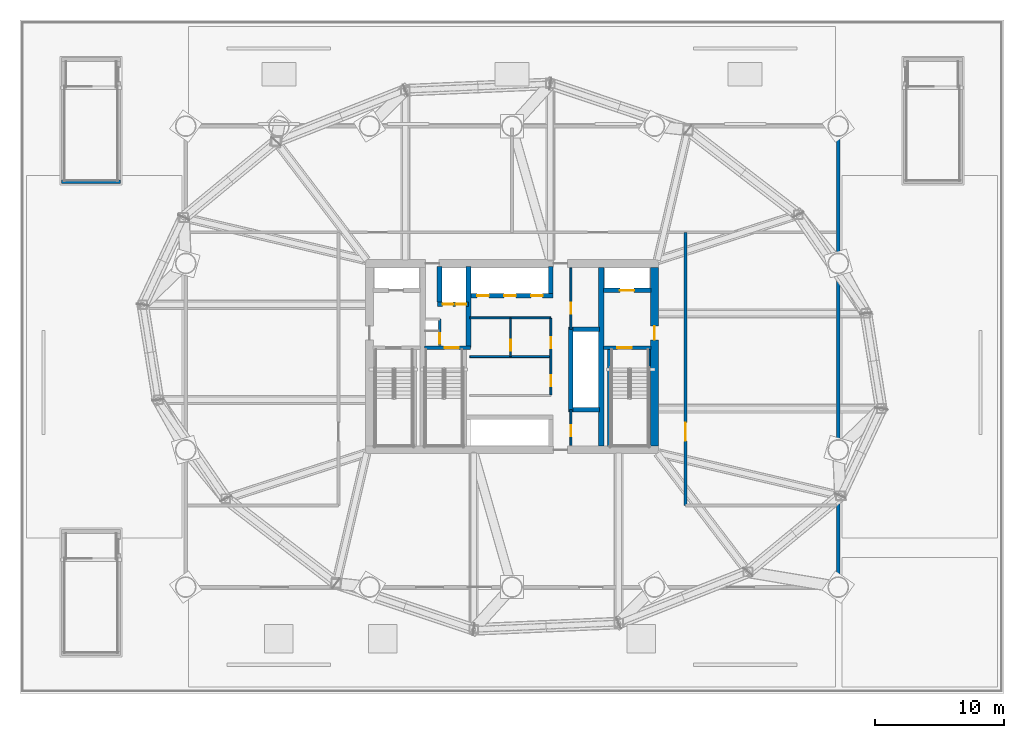
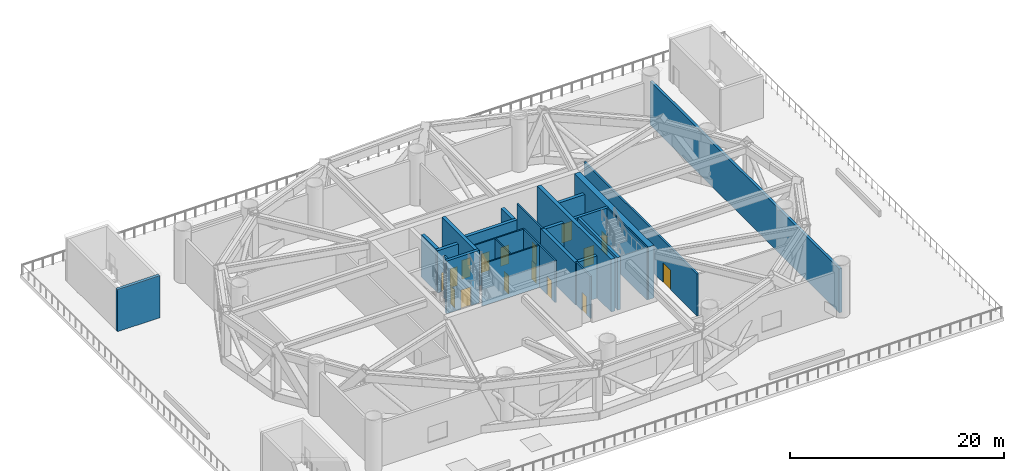
# One storey, part 8 of 14: 25 walls, 16 doors, 16 openings.
"""IFC4 building model written with IfcOpenShell, lengths in metres."""

from ifc_helpers import new_model, si_unit, direction, frame, frame_2d, origin, place, context, subcontext, project, spatial, rectangle, extrude, material, layer, layer_set, type_object, element, fill, save


model = new_model("IFC4")

# Units and contexts
model_context = context("Model", 3, precision=1e-05, world=origin(), true_north=direction((0.0, 1.0)))
body_context = subcontext(model_context, "Body", "Model", "MODEL_VIEW")
ifc_project = project(units=[si_unit("LENGTHUNIT", "METRE"), si_unit("AREAUNIT", "SQUARE_METRE"), si_unit("VOLUMEUNIT", "CUBIC_METRE"), si_unit("PLANEANGLEUNIT", "RADIAN"), si_unit("MASSUNIT", "GRAM", prefix="KILO")], contexts=[model_context])

# Site, building, storey
site_placement = place(None, origin())
site = spatial("IfcSite", under=ifc_project, at=site_placement, CompositionType="ELEMENT")
building_placement = place(site_placement, origin())
building = spatial("IfcBuilding", under=site, at=building_placement, Name="Bramvorn Convention Spire", CompositionType="ELEMENT")
storey_placement = place(building_placement, frame((0.0, 0.0, 35.39990234375)))
storey = spatial("IfcBuildingStorey", under=building, at=storey_placement, Name="L06", CompositionType="ELEMENT", Elevation=35.39990234375)

# Wall, opening, door
ifc_material_1 = material(Name="Concrete C60/70", Category="concrete")
ifc_layer_1 = layer(ifc_material_1, 0.60009765625)
ifc_layer_set_1 = layer_set([ifc_layer_1], Name="Concrete C60/70 - WL-CORE-600")
wall_type_1 = type_object("IfcWallType", Name="WL-CORE-600", PredefinedType="SHEAR", material=ifc_layer_set_1)
wall_1_placement = place(storey_placement, frame((49.0, 19.10009765625, 0.0), z_axis=(0.0, 0.0, 1.0), x_axis=(0.0, 1.0, 0.0)))
wall_1 = element("IfcWall", 1, at=wall_1_placement, inside=storey, type_object=wall_type_1, Name="L06 East RC core shear wall", PredefinedType="SHEAR", context=body_context, shape_type="SweptSolid", body=[
    extrude(rectangle(XDim=13.7998046875, YDim=0.60009765625, at=frame_2d((6.89990234375, 0.0))), origin(), (0.0, 0.0, 1.0), 6.0),
])
opening_1_placement = place(wall_1_placement, frame((8.199951171875, 0.0, 0.0)))
opening_1 = element("IfcOpeningElement", 2, at=opening_1_placement, cuts=wall_1, Name="Opening DL-105", PredefinedType="OPENING", context=body_context, shape_type="SweptSolid", body=[
    extrude(rectangle(XDim=1.050048828125, YDim=2.14990234375, at=frame_2d((0.52490234375, 1.074951171875))), frame((0.0, 0.31005859375, 0.0), z_axis=(0.0, -1.0, 0.0), x_axis=(1.0, 0.0, 0.0)), (0.0, 0.0, 1.0), 0.6201171875),
])
ifc_material_2 = material(Name="Smoke-Sealed Fire Lobby Timber-Core Door", Category="wood")
door_type_1 = type_object("IfcDoorType", Name="DR-LOBBY-1050", OperationType="NOTDEFINED", PredefinedType="DOOR", material=ifc_material_2)
door_1_placement = place(opening_1_placement, origin())
door_1 = element("IfcDoor", 3, at=door_1_placement, inside=storey, type_object=door_type_1, Name="L06 East Firefighting Lobby corridor door", OperationType="SINGLE_SWING_LEFT", OverallHeight=2.14990234375, OverallWidth=1.050048828125, PredefinedType="DOOR", context=body_context, shape_type="SweptSolid", body=[
    extrude(rectangle(XDim=1.050048828125, YDim=2.14990234375, at=frame_2d((0.52490234375, 1.074951171875))), frame((0.0, 0.02490234375, 0.0), z_axis=(0.0, -1.0, 0.0), x_axis=(1.0, 0.0, 0.0)), (0.0, 0.0, 1.0), 0.050048828125),
])
fill(opening_1, door_1)

ifc_material_3 = material(Name="Concrete C50/60", Category="concrete")
ifc_layer_2 = layer(ifc_material_3, 0.35009765625)
ifc_layer_set_2 = layer_set([ifc_layer_2], Name="Concrete C50/60 - WL-CORE-INT-350")
wall_type_2 = type_object("IfcWallType", Name="WL-CORE-INT-350", PredefinedType="SHEAR", material=ifc_layer_set_2)
wall_2_placement = place(storey_placement, frame((45.080078125, 31.1201171875, 0.0), z_axis=(0.0, 0.0, 1.0), x_axis=(1.0, 0.0, 0.0)))
wall_2 = element("IfcWall", 4, at=wall_2_placement, inside=storey, type_object=wall_type_2, Name="L06 FE2 shaft front wall", PredefinedType="SHEAR", context=body_context, shape_type="SweptSolid", body=[
    extrude(rectangle(XDim=3.669921875, YDim=0.35009765625, at=frame_2d((1.8349609375, 0.0))), origin(), (0.0, 0.0, 1.0), 4.81005859375),
])
opening_2_placement = place(wall_2_placement, frame((1.25, 0.0, 0.0)))
opening_2 = element("IfcOpeningElement", 5, at=opening_2_placement, cuts=wall_2, Name="Opening LD-110", PredefinedType="OPENING", context=body_context, shape_type="SweptSolid", body=[
    extrude(rectangle(XDim=1.10009765625, YDim=2.14990234375, at=frame_2d((0.550048828125, 1.074951171875))), frame((0.0, 0.18505859375, 0.0), z_axis=(0.0, -1.0, 0.0), x_axis=(1.0, 0.0, 0.0)), (0.0, 0.0, 1.0), 0.3701171875),
])
ifc_material_4 = material(Name="Firefighting & Service Lift Sliding Landing Door", Category="steel")
door_type_2 = type_object("IfcDoorType", Name="DR-LIFT-LD-1100", OperationType="NOTDEFINED", PredefinedType="DOOR", material=ifc_material_4)
door_2_placement = place(opening_2_placement, origin())
door_2 = element("IfcDoor", 6, at=door_2_placement, inside=storey, type_object=door_type_2, Name="L06 Lift FE2 Sliding Landing Door", OperationType="SLIDING_TO_LEFT", OverallHeight=2.14990234375, OverallWidth=1.10009765625, PredefinedType="DOOR", context=body_context, shape_type="SweptSolid", body=[
    extrude(rectangle(XDim=1.10009765625, YDim=2.14990234375, at=frame_2d((0.550048828125, 1.074951171875))), frame((0.0, 0.02490234375, 0.0), z_axis=(0.0, -1.0, 0.0), x_axis=(1.0, 0.0, 0.0)), (0.0, 0.0, 1.0), 0.050048828125),
])
fill(opening_2, door_2)

# Wall
wall_3_placement = place(storey_placement, frame((34.639892578125, 26.68994140625, 0.0), z_axis=(0.0, 0.0, 1.0), x_axis=(0.0, 1.0, 0.0)))
element("IfcWall", 7, at=wall_3_placement, inside=storey, type_object=wall_type_2, Name="L06 SV east core shaft wall", PredefinedType="SHEAR", context=body_context, shape_type="SweptSolid", body=[
    extrude(rectangle(XDim=6.260009765625, YDim=0.35009765625, at=frame_2d((3.1298828125, 0.0))), origin(), (0.0, 0.0, 1.0), 6.0),
])

# Wall, openings, doors
wall_4_placement = place(storey_placement, frame((32.22998046875, 30.050048828125, 0.0), z_axis=(0.0, 0.0, 1.0), x_axis=(1.0, 0.0, 0.0)))
wall_4 = element("IfcWall", 8, at=wall_4_placement, inside=storey, type_object=wall_type_2, Name="L06 SV1/SV2 shaft front wall", PredefinedType="SHEAR", context=body_context, shape_type="SweptSolid", body=[
    extrude(rectangle(XDim=2.409912109375, YDim=0.35009765625, at=frame_2d((1.205078125, 0.0))), origin(), (0.0, 0.0, 1.0), 4.81005859375),
])
opening_3_placement = place(wall_4_placement, frame((0.419921875, 0.0, 0.0)))
opening_3 = element("IfcOpeningElement", 9, at=opening_3_placement, cuts=wall_4, Name="Opening LD-080", PredefinedType="OPENING", context=body_context, shape_type="SweptSolid", body=[
    extrude(rectangle(XDim=0.800048828125, YDim=2.14990234375, at=frame_2d((0.39990234375, 1.074951171875))), frame((0.0, 0.18505859375, 0.0), z_axis=(0.0, -1.0, 0.0), x_axis=(1.0, 0.0, 0.0)), (0.0, 0.0, 1.0), 0.3701171875),
])
opening_4_placement = place(wall_4_placement, frame((1.419921875, 0.0, 0.0)))
opening_4 = element("IfcOpeningElement", 10, at=opening_4_placement, cuts=wall_4, Name="Opening LD-080", PredefinedType="OPENING", context=body_context, shape_type="SweptSolid", body=[
    extrude(rectangle(XDim=0.800048828125, YDim=2.14990234375, at=frame_2d((0.39990234375, 1.074951171875))), frame((0.0, 0.18505859375, 0.0), z_axis=(0.0, -1.0, 0.0), x_axis=(1.0, 0.0, 0.0)), (0.0, 0.0, 1.0), 0.3701171875),
])
ifc_material_5 = material(Name="Service Lift Bi-Parting Landing Door", Category="steel")
door_type_3 = type_object("IfcDoorType", Name="DR-LIFT-LD-800", OperationType="NOTDEFINED", PredefinedType="DOOR", material=ifc_material_5)
door_3_placement = place(opening_3_placement, origin())
door_3 = element("IfcDoor", 11, at=door_3_placement, inside=storey, type_object=door_type_3, Name="L06 Lift SV1 Sliding Landing Door", OperationType="SLIDING_TO_LEFT", OverallHeight=2.14990234375, OverallWidth=0.800048828125, PredefinedType="DOOR", context=body_context, shape_type="SweptSolid", body=[
    extrude(rectangle(XDim=0.800048828125, YDim=2.14990234375, at=frame_2d((0.39990234375, 1.074951171875))), frame((0.0, 0.02490234375, 0.0), z_axis=(0.0, -1.0, 0.0), x_axis=(1.0, 0.0, 0.0)), (0.0, 0.0, 1.0), 0.050048828125),
])
fill(opening_3, door_3)
door_4_placement = place(opening_4_placement, origin())
door_4 = element("IfcDoor", 12, at=door_4_placement, inside=storey, type_object=door_type_3, Name="L06 Lift SV2 Sliding Landing Door", OperationType="SLIDING_TO_LEFT", OverallHeight=2.14990234375, OverallWidth=0.800048828125, PredefinedType="DOOR", context=body_context, shape_type="SweptSolid", body=[
    extrude(rectangle(XDim=0.800048828125, YDim=2.14990234375, at=frame_2d((0.39990234375, 1.074951171875))), frame((0.0, 0.02490234375, 0.0), z_axis=(0.0, -1.0, 0.0), x_axis=(1.0, 0.0, 0.0)), (0.0, 0.0, 1.0), 0.050048828125),
])
fill(opening_4, door_4)

# Walls
wall_5_placement = place(storey_placement, frame((32.39990234375, 30.219970703125, 0.0), z_axis=(0.0, 0.0, 1.0), x_axis=(0.0, 1.0, 0.0)))
element("IfcWall", 13, at=wall_5_placement, inside=storey, type_object=wall_type_2, Name="L06 SV1 west hoistway wall", PredefinedType="SHEAR", context=body_context, shape_type="SweptSolid", body=[
    extrude(rectangle(XDim=2.72998046875, YDim=0.35009765625, at=frame_2d((1.364990234375, 0.0))), origin(), (0.0, 0.0, 1.0), 4.81005859375),
])
wall_6_placement = place(storey_placement, frame((42.550048828125, 21.72998046875, 0.0), z_axis=(0.0, 0.0, 1.0), x_axis=(0.0, 1.0, 0.0)))
element("IfcWall", 14, at=wall_6_placement, inside=storey, type_object=wall_type_2, Name="L06 High-rise lift bank west wall", PredefinedType="SHEAR", context=body_context, shape_type="SweptSolid", body=[
    extrude(rectangle(XDim=6.5400390625, YDim=0.35009765625, at=frame_2d((3.27001953125, 0.0))), origin(), (0.0, 0.0, 1.0), 4.81005859375),
])
for number, where, z_axis, x_axis, name in (
    (15, (42.719970703125, 21.89990234375, 0.0), (0.0, 0.0, 1.0), (1.0, 0.0, 0.0), "L06 High-rise lift bank south wall"),
    (16, (42.719970703125, 28.10009765625, 0.0), (0.0, 0.0, 1.0), (1.0, 0.0, 0.0), "L06 High-rise lift bank north wall"),
):
    element("IfcWall", number, at=place(storey_placement, frame(where, z_axis=z_axis, x_axis=x_axis)), inside=storey, type_object=wall_type_2, Name=name, PredefinedType="SHEAR", context=body_context, shape_type="SweptSolid", body=[
        extrude(rectangle(XDim=2.030029296875, YDim=0.35009765625, at=frame_2d((1.01513671875, 0.0))), origin(), (0.0, 0.0, 1.0), 4.81005859375),
    ])

# Wall, openings, doors
wall_7_placement = place(storey_placement, frame((34.81005859375, 30.699951171875, 0.0), z_axis=(0.0, 0.0, 1.0), x_axis=(1.0, 0.0, 0.0)))
wall_7 = element("IfcWall", 17, at=wall_7_placement, inside=storey, type_object=wall_type_2, Name="L06 Low-rise bank south landing wall", PredefinedType="SHEAR", context=body_context, shape_type="SweptSolid", body=[
    extrude(rectangle(XDim=6.35986328125, YDim=0.35009765625, at=frame_2d((3.179931640625, 0.0))), origin(), (0.0, 0.0, 1.0), 4.81005859375),
])
opening_5_placement = place(wall_7_placement, frame((0.5, 0.0, 0.0)))
opening_5 = element("IfcOpeningElement", 18, at=opening_5_placement, cuts=wall_7, Name="Opening LD-090", PredefinedType="OPENING", context=body_context, shape_type="SweptSolid", body=[
    extrude(rectangle(XDim=0.89990234375, YDim=2.14990234375, at=frame_2d((0.449951171875, 1.074951171875))), frame((0.0, 0.18505859375, 0.0), z_axis=(0.0, -1.0, 0.0), x_axis=(1.0, 0.0, 0.0)), (0.0, 0.0, 1.0), 0.3701171875),
])
opening_6_placement = place(wall_7_placement, frame((2.580078125, 0.0, 0.0)))
opening_6 = element("IfcOpeningElement", 19, at=opening_6_placement, cuts=wall_7, Name="Opening LD-090", PredefinedType="OPENING", context=body_context, shape_type="SweptSolid", body=[
    extrude(rectangle(XDim=0.89990234375, YDim=2.14990234375, at=frame_2d((0.449951171875, 1.074951171875))), frame((0.0, 0.18505859375, 0.0), z_axis=(0.0, -1.0, 0.0), x_axis=(1.0, 0.0, 0.0)), (0.0, 0.0, 1.0), 0.3701171875),
])
opening_7_placement = place(wall_7_placement, frame((4.659912109375, 0.0, 0.0)))
opening_7 = element("IfcOpeningElement", 20, at=opening_7_placement, cuts=wall_7, Name="Opening LD-090", PredefinedType="OPENING", context=body_context, shape_type="SweptSolid", body=[
    extrude(rectangle(XDim=0.89990234375, YDim=2.14990234375, at=frame_2d((0.449951171875, 1.074951171875))), frame((0.0, 0.18505859375, 0.0), z_axis=(0.0, -1.0, 0.0), x_axis=(1.0, 0.0, 0.0)), (0.0, 0.0, 1.0), 0.3701171875),
])
ifc_material_6 = material(Name="Bi-Parting Fire-Rated Lift Landing Door", Category="steel")
door_type_4 = type_object("IfcDoorType", Name="DR-LIFT-LD-900", OperationType="NOTDEFINED", PredefinedType="DOOR", material=ifc_material_6)
door_5_placement = place(opening_5_placement, origin())
door_5 = element("IfcDoor", 21, at=door_5_placement, inside=storey, type_object=door_type_4, Name="L06 Lift PL1 Sliding Landing Door", OperationType="SLIDING_TO_LEFT", OverallHeight=2.14990234375, OverallWidth=0.89990234375, PredefinedType="DOOR", context=body_context, shape_type="SweptSolid", body=[
    extrude(rectangle(XDim=0.89990234375, YDim=2.14990234375, at=frame_2d((0.449951171875, 1.074951171875))), frame((0.0, 0.02490234375, 0.0), z_axis=(0.0, -1.0, 0.0), x_axis=(1.0, 0.0, 0.0)), (0.0, 0.0, 1.0), 0.050048828125),
])
fill(opening_5, door_5)
door_6_placement = place(opening_6_placement, origin())
door_6 = element("IfcDoor", 22, at=door_6_placement, inside=storey, type_object=door_type_4, Name="L06 Lift PL2 Sliding Landing Door", OperationType="SLIDING_TO_LEFT", OverallHeight=2.14990234375, OverallWidth=0.89990234375, PredefinedType="DOOR", context=body_context, shape_type="SweptSolid", body=[
    extrude(rectangle(XDim=0.89990234375, YDim=2.14990234375, at=frame_2d((0.449951171875, 1.074951171875))), frame((0.0, 0.02490234375, 0.0), z_axis=(0.0, -1.0, 0.0), x_axis=(1.0, 0.0, 0.0)), (0.0, 0.0, 1.0), 0.050048828125),
])
fill(opening_6, door_6)
door_7_placement = place(opening_7_placement, origin())
door_7 = element("IfcDoor", 23, at=door_7_placement, inside=storey, type_object=door_type_4, Name="L06 Lift PL3 Sliding Landing Door", OperationType="SLIDING_TO_LEFT", OverallHeight=2.14990234375, OverallWidth=0.89990234375, PredefinedType="DOOR", context=body_context, shape_type="SweptSolid", body=[
    extrude(rectangle(XDim=0.89990234375, YDim=2.14990234375, at=frame_2d((0.449951171875, 1.074951171875))), frame((0.0, 0.02490234375, 0.0), z_axis=(0.0, -1.0, 0.0), x_axis=(1.0, 0.0, 0.0)), (0.0, 0.0, 1.0), 0.050048828125),
])
fill(opening_7, door_7)

# Walls
wall_8_placement = place(storey_placement, frame((41.0, 30.8701171875, 0.0), z_axis=(0.0, 0.0, 1.0), x_axis=(0.0, 1.0, 0.0)))
element("IfcWall", 24, at=wall_8_placement, inside=storey, type_object=wall_type_2, Name="L06 Low-rise bank east cheek wall", PredefinedType="SHEAR", context=body_context, shape_type="SweptSolid", body=[
    extrude(rectangle(XDim=2.079833984375, YDim=0.35009765625, at=frame_2d((1.0400390625, 0.0))), origin(), (0.0, 0.0, 1.0), 4.81005859375),
])
ifc_layer_3 = layer(ifc_material_1, 0.39990234375)
ifc_layer_set_3 = layer_set([ifc_layer_3], Name="Concrete C60/70 - WL-CORE-INT-400")
wall_type_3 = type_object("IfcWallType", Name="WL-CORE-INT-400", PredefinedType="SHEAR", material=ifc_layer_set_3)
wall_9_placement = place(storey_placement, frame((44.89990234375, 19.10009765625, 0.0), z_axis=(0.0, 0.0, 1.0), x_axis=(0.0, 1.0, 0.0)))
element("IfcWall", 25, at=wall_9_placement, inside=storey, type_object=wall_type_3, Name="L06 East internal core shear web", PredefinedType="SHEAR", context=body_context, shape_type="SweptSolid", body=[
    extrude(rectangle(XDim=13.7998046875, YDim=0.39990234375, at=frame_2d((6.89990234375, 0.0))), origin(), (0.0, 0.0, 1.0), 6.0),
])
ifc_material_7 = material(Name="Precast Concrete C40/50 Insulated Terrace Wall", Category="concrete")
ifc_layer_4 = layer(ifc_material_7, 0.280029296875)
ifc_layer_set_4 = layer_set([ifc_layer_4], Name="Precast Concrete C40/50 Insulated Terrace Wall - WL-EXT-TERR-280")
wall_type_4 = type_object("IfcWallType", Name="WL-EXT-TERR-280", PredefinedType="SOLIDWALL", material=ifc_layer_set_4)
wall_10_placement = place(storey_placement, frame((63.199951171875, 43.659912109375, 0.0), z_axis=(0.0, 0.0, 1.0), x_axis=(0.0, -1.0, 0.0)))
element("IfcWall", 26, at=wall_10_placement, inside=storey, type_object=wall_type_4, Name="L06 East transfer enclosure wall", PredefinedType="SOLIDWALL", context=body_context, shape_type="SweptSolid", body=[
    extrude(rectangle(XDim=35.31982421875, YDim=0.280029296875, at=frame_2d((17.659912109375, 0.0))), origin(), (0.0, 0.0, 1.0), 5.0),
])

# Wall, opening, door
ifc_material_8 = material(Name="Lightweight En-Suite & Wet-Wall Partition", Category="gypsum")
ifc_layer_5 = layer(ifc_material_8, 0.110107421875)
ifc_layer_set_5 = layer_set([ifc_layer_5], Name="Lightweight En-Suite & Wet-Wall Partition - WL-PART-110")
wall_type_5 = type_object("IfcWallType", Name="WL-PART-110", PredefinedType="PARTITIONING", material=ifc_layer_set_5)
wall_11_placement = place(storey_placement, frame((37.89990234375, 26.0, 0.0), z_axis=(0.0, 0.0, 1.0), x_axis=(0.0, 1.0, 0.0)))
wall_11 = element("IfcWall", 27, at=wall_11_placement, inside=storey, type_object=wall_type_5, Name="L06 Core restroom subwall", PredefinedType="PARTITIONING", context=body_context, shape_type="SweptSolid", body=[
    extrude(rectangle(XDim=2.949951171875, YDim=0.110107421875, at=frame_2d((1.47509765625, 0.0))), origin(), (0.0, 0.0, 1.0), 4.81005859375),
])
opening_8_placement = place(wall_11_placement, frame((0.449951171875, 0.0, 0.0)))
opening_8 = element("IfcOpeningElement", 28, at=opening_8_placement, cuts=wall_11, Name="Opening DC-085", PredefinedType="OPENING", context=body_context, shape_type="SweptSolid", body=[
    extrude(rectangle(XDim=0.85009765625, YDim=2.10009765625, at=frame_2d((0.425048828125, 1.050048828125))), frame((0.0, 0.06494140625, 0.0), z_axis=(0.0, -1.0, 0.0), x_axis=(1.0, 0.0, 0.0)), (0.0, 0.0, 1.0), 0.130126953125),
])
ifc_material_9 = material(Name="Fire-Rated Core Washroom & IDF Door", Category="wood")
door_type_5 = type_object("IfcDoorType", Name="DR-CORE-850", OperationType="NOTDEFINED", PredefinedType="DOOR", material=ifc_material_9)
door_8_placement = place(opening_8_placement, origin())
door_8 = element("IfcDoor", 29, at=door_8_placement, inside=storey, type_object=door_type_5, Name="L06 Core telecom store door", OperationType="SINGLE_SWING_LEFT", OverallHeight=2.10009765625, OverallWidth=0.85009765625, PredefinedType="DOOR", context=body_context, shape_type="SweptSolid", body=[
    extrude(rectangle(XDim=0.85009765625, YDim=2.10009765625, at=frame_2d((0.425048828125, 1.050048828125))), frame((0.0, 0.02490234375, 0.0), z_axis=(0.0, -1.0, 0.0), x_axis=(1.0, 0.0, 0.0)), (0.0, 0.0, 1.0), 0.050048828125),
])
fill(opening_8, door_8)

# Wall
ifc_material_10 = material(Name="Acoustic Metal-Stud Tenant/Corridor Partition", Category="gypsum")
ifc_layer_6 = layer(ifc_material_10, 0.14990234375)
ifc_layer_set_6 = layer_set([ifc_layer_6], Name="Acoustic Metal-Stud Tenant/Corridor Partition - WL-PART-150")
wall_type_6 = type_object("IfcWallType", Name="WL-PART-150", PredefinedType="PARTITIONING", material=ifc_layer_set_6)
wall_12_placement = place(storey_placement, frame((34.75, 29.0, 0.0), z_axis=(0.0, 0.0, 1.0), x_axis=(1.0, 0.0, 0.0)))
element("IfcWall", 30, at=wall_12_placement, inside=storey, type_object=wall_type_6, Name="L06 Low-rise lift vestibule south wall", PredefinedType="PARTITIONING", context=body_context, shape_type="SweptSolid", body=[
    extrude(rectangle(XDim=6.25, YDim=0.14990234375, at=frame_2d((3.125, 0.0))), origin(), (0.0, 0.0, 1.0), 4.81005859375),
])

# Wall, openings, doors
wall_13_placement = place(storey_placement, frame((41.0, 23.050048828125, 0.0), z_axis=(0.0, 0.0, 1.0), x_axis=(0.0, 1.0, 0.0)))
wall_13 = element("IfcWall", 31, at=wall_13_placement, inside=storey, type_object=wall_type_6, Name="L06 Core room east wall", PredefinedType="PARTITIONING", context=body_context, shape_type="SweptSolid", body=[
    extrude(rectangle(XDim=5.89990234375, YDim=0.14990234375, at=frame_2d((2.949951171875, 0.0))), origin(), (0.0, 0.0, 1.0), 4.81005859375),
])
opening_9_placement = place(wall_13_placement, frame((0.64990234375, 0.0, 0.0)))
opening_9 = element("IfcOpeningElement", 32, at=opening_9_placement, cuts=wall_13, Name="Opening DC-085", PredefinedType="OPENING", context=body_context, shape_type="SweptSolid", body=[
    extrude(rectangle(XDim=0.85009765625, YDim=2.10009765625, at=frame_2d((0.425048828125, 1.050048828125))), frame((0.0, 0.0849609375, 0.0), z_axis=(0.0, -1.0, 0.0), x_axis=(1.0, 0.0, 0.0)), (0.0, 0.0, 1.0), 0.169921875),
])
opening_10_placement = place(wall_13_placement, frame((3.60009765625, 0.0, 0.0)))
opening_10 = element("IfcOpeningElement", 33, at=opening_10_placement, cuts=wall_13, Name="Opening DC-085", PredefinedType="OPENING", context=body_context, shape_type="SweptSolid", body=[
    extrude(rectangle(XDim=0.85009765625, YDim=2.10009765625, at=frame_2d((0.425048828125, 1.050048828125))), frame((0.0, 0.0849609375, 0.0), z_axis=(0.0, -1.0, 0.0), x_axis=(1.0, 0.0, 0.0)), (0.0, 0.0, 1.0), 0.169921875),
])
door_9_placement = place(opening_9_placement, origin())
door_9 = element("IfcDoor", 34, at=door_9_placement, inside=storey, type_object=door_type_5, Name="L06 Core room 1 door", OperationType="SINGLE_SWING_LEFT", OverallHeight=2.10009765625, OverallWidth=0.85009765625, PredefinedType="DOOR", context=body_context, shape_type="SweptSolid", body=[
    extrude(rectangle(XDim=0.85009765625, YDim=2.10009765625, at=frame_2d((0.425048828125, 1.050048828125))), frame((0.0, 0.02490234375, 0.0), z_axis=(0.0, -1.0, 0.0), x_axis=(1.0, 0.0, 0.0)), (0.0, 0.0, 1.0), 0.050048828125),
])
fill(opening_9, door_9)
door_10_placement = place(opening_10_placement, origin())
door_10 = element("IfcDoor", 35, at=door_10_placement, inside=storey, type_object=door_type_5, Name="L06 Core room 2 door", OperationType="SINGLE_SWING_LEFT", OverallHeight=2.10009765625, OverallWidth=0.85009765625, PredefinedType="DOOR", context=body_context, shape_type="SweptSolid", body=[
    extrude(rectangle(XDim=0.85009765625, YDim=2.10009765625, at=frame_2d((0.425048828125, 1.050048828125))), frame((0.0, 0.02490234375, 0.0), z_axis=(0.0, -1.0, 0.0), x_axis=(1.0, 0.0, 0.0)), (0.0, 0.0, 1.0), 0.050048828125),
])
fill(opening_10, door_10)

# Wall
wall_14_placement = place(storey_placement, frame((34.75, 26.0, 0.0), z_axis=(0.0, 0.0, 1.0), x_axis=(1.0, 0.0, 0.0)))
element("IfcWall", 36, at=wall_14_placement, inside=storey, type_object=wall_type_6, Name="L06 Core room divider", PredefinedType="PARTITIONING", context=body_context, shape_type="SweptSolid", body=[
    extrude(rectangle(XDim=6.25, YDim=0.14990234375, at=frame_2d((3.125, 0.0))), origin(), (0.0, 0.0, 1.0), 4.81005859375),
])

# Wall, opening, door
wall_15_placement = place(storey_placement, frame((42.550048828125, 28.10009765625, 0.0), z_axis=(0.0, 0.0, 1.0), x_axis=(0.0, 1.0, 0.0)))
wall_15 = element("IfcWall", 37, at=wall_15_placement, inside=storey, type_object=wall_type_6, Name="L06 Core NE store wall", PredefinedType="PARTITIONING", context=body_context, shape_type="SweptSolid", body=[
    extrude(rectangle(XDim=4.75, YDim=0.14990234375, at=frame_2d((2.375, 0.0))), origin(), (0.0, 0.0, 1.0), 4.81005859375),
])
opening_11_placement = place(wall_15_placement, frame((1.199951171875, 0.0, 0.0)))
opening_11 = element("IfcOpeningElement", 38, at=opening_11_placement, cuts=wall_15, Name="Opening DC-085", PredefinedType="OPENING", context=body_context, shape_type="SweptSolid", body=[
    extrude(rectangle(XDim=0.85009765625, YDim=2.10009765625, at=frame_2d((0.425048828125, 1.050048828125))), frame((0.0, 0.0849609375, 0.0), z_axis=(0.0, -1.0, 0.0), x_axis=(1.0, 0.0, 0.0)), (0.0, 0.0, 1.0), 0.169921875),
])
door_11_placement = place(opening_11_placement, origin())
door_11 = element("IfcDoor", 39, at=door_11_placement, inside=storey, type_object=door_type_5, Name="L06 Core NE store door", OperationType="SINGLE_SWING_LEFT", OverallHeight=2.10009765625, OverallWidth=0.85009765625, PredefinedType="DOOR", context=body_context, shape_type="SweptSolid", body=[
    extrude(rectangle(XDim=0.85009765625, YDim=2.10009765625, at=frame_2d((0.425048828125, 1.050048828125))), frame((0.0, 0.02490234375, 0.0), z_axis=(0.0, -1.0, 0.0), x_axis=(1.0, 0.0, 0.0)), (0.0, 0.0, 1.0), 0.050048828125),
])
fill(opening_11, door_11)

wall_16_placement = place(storey_placement, frame((42.550048828125, 19.14990234375, 0.0), z_axis=(0.0, 0.0, 1.0), x_axis=(0.0, 1.0, 0.0)))
wall_16 = element("IfcWall", 40, at=wall_16_placement, inside=storey, type_object=wall_type_6, Name="L06 Core SE riser wall", PredefinedType="PARTITIONING", context=body_context, shape_type="SweptSolid", body=[
    extrude(rectangle(XDim=2.75, YDim=0.14990234375, at=frame_2d((1.375, 0.0))), origin(), (0.0, 0.0, 1.0), 4.81005859375),
])
opening_12_placement = place(wall_16_placement, frame((0.699951171875, 0.0, 0.0)))
opening_12 = element("IfcOpeningElement", 41, at=opening_12_placement, cuts=wall_16, Name="Opening DC-085", PredefinedType="OPENING", context=body_context, shape_type="SweptSolid", body=[
    extrude(rectangle(XDim=0.85009765625, YDim=2.10009765625, at=frame_2d((0.425048828125, 1.050048828125))), frame((0.0, 0.0849609375, 0.0), z_axis=(0.0, -1.0, 0.0), x_axis=(1.0, 0.0, 0.0)), (0.0, 0.0, 1.0), 0.169921875),
])
door_12_placement = place(opening_12_placement, origin())
door_12 = element("IfcDoor", 42, at=door_12_placement, inside=storey, type_object=door_type_5, Name="L06 Core SE riser door", OperationType="SINGLE_SWING_LEFT", OverallHeight=2.10009765625, OverallWidth=0.85009765625, PredefinedType="DOOR", context=body_context, shape_type="SweptSolid", body=[
    extrude(rectangle(XDim=0.85009765625, YDim=2.10009765625, at=frame_2d((0.425048828125, 1.050048828125))), frame((0.0, 0.02490234375, 0.0), z_axis=(0.0, -1.0, 0.0), x_axis=(1.0, 0.0, 0.0)), (0.0, 0.0, 1.0), 0.050048828125),
])
fill(opening_12, door_12)

ifc_material_11 = material(Name="Gypsum Shaftwall & Rockwool Core Partition", Category="gypsum")
ifc_layer_7 = layer(ifc_material_11, 0.199951171875)
ifc_layer_set_7 = layer_set([ifc_layer_7], Name="Gypsum Shaftwall & Rockwool Core Partition - WL-PART-200-FR")
wall_type_7 = type_object("IfcWallType", Name="WL-PART-200-FR", PredefinedType="PARTITIONING", material=ifc_layer_set_7)
wall_17_placement = place(storey_placement, frame((32.419921875, 26.860107421875, 0.0), z_axis=(0.0, 0.0, 1.0), x_axis=(0.0, 1.0, 0.0)))
wall_17 = element("IfcWall", 43, at=wall_17_placement, inside=storey, type_object=wall_type_7, Name="L06 Telecom riser east wall", PredefinedType="PARTITIONING", context=body_context, shape_type="SweptSolid", body=[
    extrude(rectangle(XDim=2.039794921875, YDim=0.199951171875, at=frame_2d((1.02001953125, 0.0))), origin(), (0.0, 0.0, 1.0), 4.81005859375),
])
opening_13_placement = place(wall_17_placement, frame((0.139892578125, 0.0, 0.0)))
opening_13 = element("IfcOpeningElement", 44, at=opening_13_placement, cuts=wall_17, Name="Opening DR-080", PredefinedType="OPENING", context=body_context, shape_type="SweptSolid", body=[
    extrude(rectangle(XDim=0.800048828125, YDim=2.050048828125, at=frame_2d((0.39990234375, 1.02490234375))), frame((0.0, 0.10986328125, 0.0), z_axis=(0.0, -1.0, 0.0), x_axis=(1.0, 0.0, 0.0)), (0.0, 0.0, 1.0), 0.219970703125),
])
ifc_material_12 = material(Name="Flush Steel Riser Access Door", Category="steel")
door_type_6 = type_object("IfcDoorType", Name="DR-RISER-800", OperationType="NOTDEFINED", PredefinedType="DOOR", material=ifc_material_12)
door_13_placement = place(opening_13_placement, origin())
door_13 = element("IfcDoor", 45, at=door_13_placement, inside=storey, type_object=door_type_6, Name="L06 Telecom riser access door", OperationType="SINGLE_SWING_RIGHT", OverallHeight=2.050048828125, OverallWidth=0.800048828125, PredefinedType="DOOR", context=body_context, shape_type="SweptSolid", body=[
    extrude(rectangle(XDim=0.800048828125, YDim=2.050048828125, at=frame_2d((0.39990234375, 1.02490234375))), frame((0.0, 0.02490234375, 0.0), z_axis=(0.0, -1.0, 0.0), x_axis=(1.0, 0.0, 0.0)), (0.0, 0.0, 1.0), 0.050048828125),
])
fill(opening_13, door_13)

wall_18_placement = place(storey_placement, frame((51.39990234375, 14.5, 0.0), z_axis=(0.0, 0.0, 1.0), x_axis=(0.0, 1.0, 0.0)))
wall_18 = element("IfcWall", 46, at=wall_18_placement, inside=storey, type_object=wall_type_7, Name="L06 East plant corridor wall", PredefinedType="PARTITIONING", context=body_context, shape_type="SweptSolid", body=[
    extrude(rectangle(XDim=21.10009765625, YDim=0.199951171875, at=frame_2d((10.550048828125, 0.0))), origin(), (0.0, 0.0, 1.0), 4.81005859375),
])
opening_14_placement = place(wall_18_placement, frame((5.0, 0.0, 0.0)))
opening_14 = element("IfcOpeningElement", 47, at=opening_14_placement, cuts=wall_18, Name="Opening DP-140", PredefinedType="OPENING", context=body_context, shape_type="SweptSolid", body=[
    extrude(rectangle(XDim=1.39990234375, YDim=2.25, at=frame_2d((0.699951171875, 1.125))), frame((0.0, 0.10986328125, 0.0), z_axis=(0.0, -1.0, 0.0), x_axis=(1.0, 0.0, 0.0)), (0.0, 0.0, 1.0), 0.219970703125),
])
ifc_material_13 = material(Name="Heavy-Duty Acoustic Louvre Plant Room Door", Category="steel")
door_type_7 = type_object("IfcDoorType", Name="DR-PLANT-1400", OperationType="NOTDEFINED", PredefinedType="DOOR", material=ifc_material_13)
door_14_placement = place(opening_14_placement, origin())
door_14 = element("IfcDoor", 48, at=door_14_placement, inside=storey, type_object=door_type_7, Name="L06 Podium AHU Plant East door", OperationType="DOUBLE_DOOR_SINGLE_SWING", OverallHeight=2.25, OverallWidth=1.39990234375, PredefinedType="DOOR", context=body_context, shape_type="SweptSolid", body=[
    extrude(rectangle(XDim=1.39990234375, YDim=2.25, at=frame_2d((0.699951171875, 1.125))), frame((0.0, 0.02490234375, 0.0), z_axis=(0.0, -1.0, 0.0), x_axis=(1.0, 0.0, 0.0)), (0.0, 0.0, 1.0), 0.050048828125),
])
fill(opening_14, door_14)

ifc_layer_8 = layer(ifc_material_3, 0.300048828125)
ifc_layer_set_8 = layer_set([ifc_layer_8], Name="Concrete C50/60 - WL-POD-STAIR-300")
wall_type_8 = type_object("IfcWallType", Name="WL-POD-STAIR-300", PredefinedType="SHEAR", material=ifc_layer_set_8)
wall_19_placement = place(storey_placement, frame((45.080078125, 26.68994140625, 0.0), z_axis=(0.0, 0.0, 1.0), x_axis=(1.0, 0.0, 0.0)))
wall_19 = element("IfcWall", 49, at=wall_19_placement, inside=storey, type_object=wall_type_8, Name="L06 ST2 north fire wall", PredefinedType="SHEAR", context=body_context, shape_type="SweptSolid", body=[
    extrude(rectangle(XDim=3.669921875, YDim=0.300048828125, at=frame_2d((1.8349609375, 0.0))), origin(), (0.0, 0.0, 1.0), 6.0),
])
opening_15_placement = place(wall_19_placement, frame((1.050048828125, 0.0, 0.0)))
opening_15 = element("IfcOpeningElement", 50, at=opening_15_placement, cuts=wall_19, Name="Opening DS-110", PredefinedType="OPENING", context=body_context, shape_type="SweptSolid", body=[
    extrude(rectangle(XDim=1.10009765625, YDim=2.14990234375, at=frame_2d((0.550048828125, 1.074951171875))), frame((0.0, 0.159912109375, 0.0), z_axis=(0.0, -1.0, 0.0), x_axis=(1.0, 0.0, 0.0)), (0.0, 0.0, 1.0), 0.320068359375),
])
ifc_material_14 = material(Name="Fire-Rated Hollow Steel Stairwell Door", Category="steel")
door_type_8 = type_object("IfcDoorType", Name="DR-STAIR-1100", OperationType="NOTDEFINED", PredefinedType="DOOR", material=ifc_material_14)
door_15_placement = place(opening_15_placement, origin())
door_15 = element("IfcDoor", 51, at=door_15_placement, inside=storey, type_object=door_type_8, Name="L06 Stair ST2 fire door", OperationType="SINGLE_SWING_RIGHT", OverallHeight=2.14990234375, OverallWidth=1.10009765625, PredefinedType="DOOR", context=body_context, shape_type="SweptSolid", body=[
    extrude(rectangle(XDim=1.10009765625, YDim=2.14990234375, at=frame_2d((0.550048828125, 1.074951171875))), frame((0.0, 0.02490234375, 0.0), z_axis=(0.0, -1.0, 0.0), x_axis=(1.0, 0.0, 0.0)), (0.0, 0.0, 1.0), 0.050048828125),
])
fill(opening_15, door_15)

# Wall
wall_20_placement = place(storey_placement, frame((45.510009765625, 19.050048828125, 0.0), z_axis=(0.0, 0.0, 1.0), x_axis=(0.0, 1.0, 0.0)))
element("IfcWall", 52, at=wall_20_placement, inside=storey, type_object=wall_type_8, Name="L06 ST2 west bearing wall", PredefinedType="SHEAR", context=body_context, shape_type="SweptSolid", body=[
    extrude(rectangle(XDim=7.5, YDim=0.300048828125, at=frame_2d((3.75, 0.0))), origin(), (0.0, 0.0, 1.0), 6.0),
])

# Wall, opening, door
wall_21_placement = place(storey_placement, frame((31.25, 26.68994140625, 0.0), z_axis=(0.0, 0.0, 1.0), x_axis=(1.0, 0.0, 0.0)))
wall_21 = element("IfcWall", 53, at=wall_21_placement, inside=storey, type_object=wall_type_8, Name="L06 ST3 north lobby wall", PredefinedType="SHEAR", context=body_context, shape_type="SweptSolid", body=[
    extrude(rectangle(XDim=3.56005859375, YDim=0.300048828125, at=frame_2d((1.780029296875, 0.0))), origin(), (0.0, 0.0, 1.0), 6.0),
])
opening_16_placement = place(wall_21_placement, frame((1.550048828125, 0.0, 0.0)))
opening_16 = element("IfcOpeningElement", 54, at=opening_16_placement, cuts=wall_21, Name="Opening DS-110", PredefinedType="OPENING", context=body_context, shape_type="SweptSolid", body=[
    extrude(rectangle(XDim=1.10009765625, YDim=2.14990234375, at=frame_2d((0.550048828125, 1.074951171875))), frame((0.0, 0.159912109375, 0.0), z_axis=(0.0, -1.0, 0.0), x_axis=(1.0, 0.0, 0.0)), (0.0, 0.0, 1.0), 0.320068359375),
])
door_16_placement = place(opening_16_placement, origin())
door_16 = element("IfcDoor", 55, at=door_16_placement, inside=storey, type_object=door_type_8, Name="L06 Stair ST3 fire door", OperationType="SINGLE_SWING_LEFT", OverallHeight=2.14990234375, OverallWidth=1.10009765625, PredefinedType="DOOR", context=body_context, shape_type="SweptSolid", body=[
    extrude(rectangle(XDim=1.10009765625, YDim=2.14990234375, at=frame_2d((0.550048828125, 1.074951171875))), frame((0.0, 0.02490234375, 0.0), z_axis=(0.0, -1.0, 0.0), x_axis=(1.0, 0.0, 0.0)), (0.0, 0.0, 1.0), 0.050048828125),
])
fill(opening_16, door_16)

# Walls
wall_22_placement = place(storey_placement, frame((3.2099609375, 39.510009765625, 0.0), z_axis=(0.0, 0.0, 1.0), x_axis=(1.0, 0.0, 0.0)))
element("IfcWall", 56, at=wall_22_placement, inside=storey, type_object=wall_type_8, Name="L06 ST6 south shaft wall", PredefinedType="SHEAR", context=body_context, shape_type="SweptSolid", body=[
    extrude(rectangle(XDim=4.56005859375, YDim=0.300048828125, at=frame_2d((2.280029296875, 0.0))), origin(), (0.0, 0.0, 1.0), 4.800048828125),
])
ifc_layer_9 = layer(ifc_material_3, 0.1201171875)
ifc_layer_set_9 = layer_set([ifc_layer_9], Name="Concrete C50/60 - WL-STAIR-RC-120")
wall_type_9 = type_object("IfcWallType", Name="WL-STAIR-RC-120", PredefinedType="SHEAR", material=ifc_layer_set_9)
wall_23_placement = place(storey_placement, frame((48.60498046875, 19.10009765625, 0.0), z_axis=(0.0, 0.0, 1.0), x_axis=(0.0, 1.0, 0.0)))
element("IfcWall", 57, at=wall_23_placement, inside=storey, type_object=wall_type_9, Name="L06 ST2 east bearing shear wall", PredefinedType="SHEAR", context=body_context, shape_type="SweptSolid", body=[
    extrude(rectangle(XDim=7.449951171875, YDim=0.1201171875, at=frame_2d((3.72509765625, 0.0))), origin(), (0.0, 0.0, 1.0), 6.0),
])

save(model, "model.ifc")
